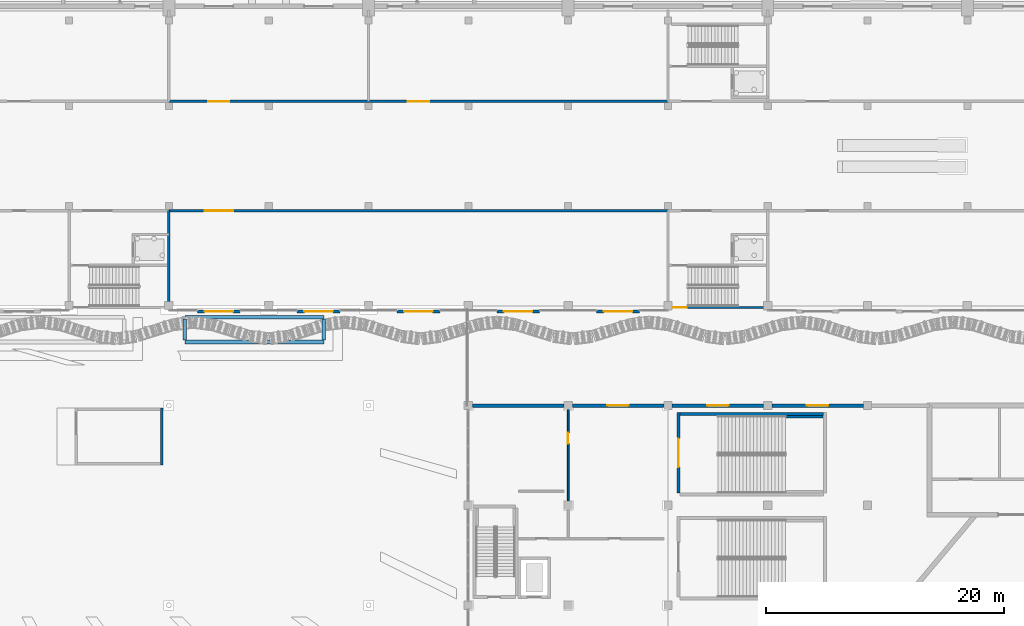
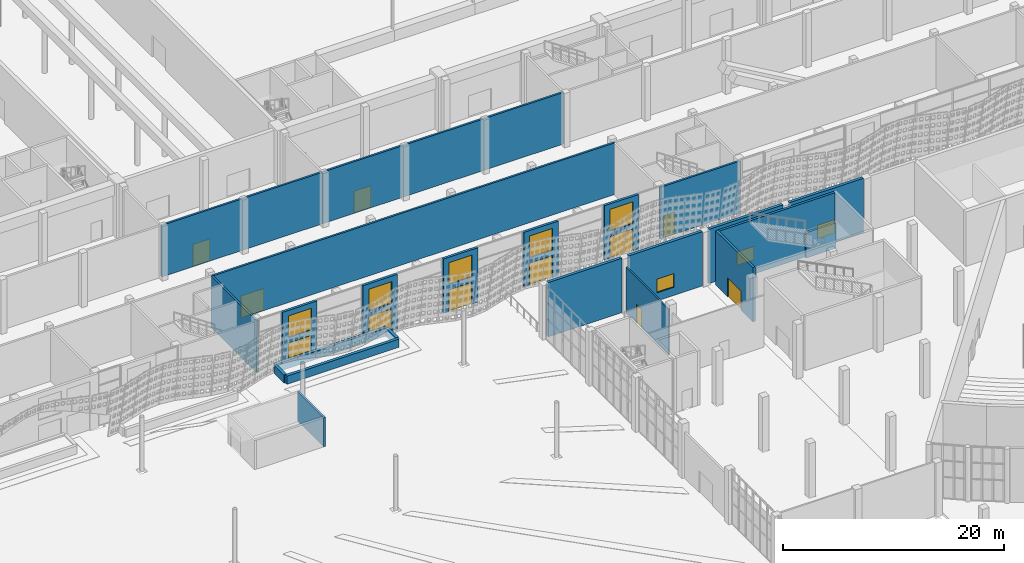
# One storey, part 110 of 210: 23 walls, 11 doors, 8 windows, 19 openings.
"""IFC4 building model written with IfcOpenShell, lengths in metres."""

import ifcopenshell
import ifcopenshell.guid

model = None  # the IFC model being written
_history = None  # IfcOwnerHistory: only IFC2X3 demands one
_inside = {}  # id of a spatial element -> (the spatial element, [elements in it])
_under = {}  # id of a project, library or spatial element -> (it, [spatial elements below it])
_declared = {}  # id of a project -> (the project, [libraries it declares])
_typed = {}  # id of a type object -> (the type object, [elements of that type])
_made_of = {}  # id of a material, layer set ... -> (it, [elements and type objects made of it])


def new_model(schema):
    """Start an empty IFC model of exactly this schema.

    Asked for "IFC4X3", IfcOpenShell would pick the latest addendum, in which some entities
    have other attributes; the version numbers below select the first issue.
    IFC2X3 requires an IfcOwnerHistory on every rooted entity: one is made here for all.
    """
    global model, _history
    if schema == "IFC4X3":
        model = ifcopenshell.file(schema_version=(4, 3, 0, 0))
    else:
        model = ifcopenshell.file(schema=schema)
    _inside.clear()
    _under.clear()
    _declared.clear()
    _typed.clear()
    _made_of.clear()
    _history = None
    if model.schema == "IFC2X3":
        org = make("IfcOrganization", Name="unknown")
        user = make(
            "IfcPersonAndOrganization",
            ThePerson=make("IfcPerson", FamilyName="unknown"),
            TheOrganization=org,
        )
        app = make(
            "IfcApplication",
            ApplicationDeveloper=org,
            Version="unknown",
            ApplicationFullName="unknown",
            ApplicationIdentifier="unknown",
        )
        _history = make(
            "IfcOwnerHistory",
            OwningUser=user,
            OwningApplication=app,
            ChangeAction="ADDED",
            CreationDate=0,
        )
    return model


def make(cls, **values):
    """One entity of the class cls with the attributes given. An attribute that is None is left unset."""
    return model.create_entity(
        cls, **{name: value for name, value in values.items() if value is not None}
    )


def rooted(cls, **values):
    """An entity with a GlobalId (a new one), such as an element, a storey or a relation."""
    return make(cls, GlobalId=ifcopenshell.guid.new(), OwnerHistory=_history, **values)


def si_unit(unit_type, name, prefix=None):
    """IfcSIUnit, for example si_unit("LENGTHUNIT", "METRE", prefix="MILLI")."""
    return make("IfcSIUnit", UnitType=unit_type, Prefix=prefix, Name=name)


def assignment(units):
    """IfcUnitAssignment: the units of a project."""
    return None if units is None else make("IfcUnitAssignment", Units=units)


def point(xyz):
    """IfcCartesianPoint."""
    return None if xyz is None else make("IfcCartesianPoint", Coordinates=xyz)


def direction(xyz):
    """IfcDirection."""
    return None if xyz is None else make("IfcDirection", DirectionRatios=xyz)


def frame(location, z_axis=None, x_axis=None):
    """IfcAxis2Placement3D, a coordinate frame: its origin and axes. An axis left out is left unset."""
    return make(
        "IfcAxis2Placement3D",
        Location=point(location),
        Axis=direction(z_axis),
        RefDirection=direction(x_axis),
    )


def frame_2d(location, x_axis=None):
    """IfcAxis2Placement2D, a coordinate frame in the plane: its origin and x axis."""
    return make(
        "IfcAxis2Placement2D", Location=point(location), RefDirection=direction(x_axis)
    )


def origin():
    """The frame at (0, 0, 0) with its axes left unset."""
    return frame((0.0, 0.0, 0.0))


def place(relative_to, where):
    """IfcLocalPlacement: puts the frame where relative to a parent placement (None: the world)."""
    return make(
        "IfcLocalPlacement", PlacementRelTo=relative_to, RelativePlacement=where
    )


def context(
    kind, dimensions, precision=None, world=None, true_north=None, identifier=None
):
    """IfcGeometricRepresentationContext, for example the 3D "Model" context."""
    return make(
        "IfcGeometricRepresentationContext",
        ContextIdentifier=identifier,
        ContextType=kind,
        CoordinateSpaceDimension=dimensions,
        Precision=precision,
        WorldCoordinateSystem=world,
        TrueNorth=true_north,
    )


def subcontext(parent, identifier, kind, view, scale=None):
    """IfcGeometricRepresentationSubContext, for example "Body" below "Model"."""
    return make(
        "IfcGeometricRepresentationSubContext",
        ContextIdentifier=identifier,
        ContextType=kind,
        ParentContext=parent,
        TargetScale=scale,
        TargetView=view,
    )


def project(units=None, contexts=None):
    """IfcProject with its units and contexts."""
    return rooted(
        "IfcProject",
        Name="project",
        RepresentationContexts=contexts,
        UnitsInContext=assignment(units),
    )


def spatial(cls, under=None, at=None, **own):
    """A site, building, storey or space (cls), placed at a placement, below another one or the project."""
    s = rooted(cls, ObjectPlacement=at, **own)
    if under is not None:
        _under.setdefault(under.id(), (under, []))[1].append(s)
    return s


def profile(cls, at=None, kind="AREA", **sizes):
    """A parametric profile (cls). Its sizes go by their IFC names, for example OverallWidth=200.0."""
    return make(cls, ProfileType=kind, Position=at, **sizes)


def rectangle(**sizes):
    """IfcRectangleProfileDef."""
    return profile("IfcRectangleProfileDef", **sizes)


def extrude(swept, where, along, depth):
    """IfcExtrudedAreaSolid: the profile swept, set in the frame where, extruded along a direction by depth."""
    return make(
        "IfcExtrudedAreaSolid",
        SweptArea=swept,
        Position=where,
        ExtrudedDirection=direction(along),
        Depth=depth,
    )


def shape(context_of_items, identifier, shape_type, items):
    """IfcShapeRepresentation: the items that make up one representation, for example the "Body"."""
    return make(
        "IfcShapeRepresentation",
        ContextOfItems=context_of_items,
        RepresentationIdentifier=identifier,
        RepresentationType=shape_type,
        Items=items,
    )


def material(Name=None, Category=None):
    """IfcMaterial."""
    return make("IfcMaterial", Name=Name, Category=Category)


def layer(
    of_material, thickness, ventilated=None, Name=None, Category=None, Priority=None
):
    """IfcMaterialLayer: one layer of a wall or slab, of a material (None: an air gap)."""
    return make(
        "IfcMaterialLayer",
        Material=of_material,
        LayerThickness=thickness,
        IsVentilated=ventilated,
        Name=Name,
        Category=Category,
        Priority=Priority,
    )


def layer_set(layers, Name=None):
    """IfcMaterialLayerSet."""
    return make("IfcMaterialLayerSet", MaterialLayers=layers, LayerSetName=Name)


def made_of(thing, what):
    """Note that an element or type object is made of a material, layer set ...; save() writes the relation."""
    if what is not None:
        _made_of.setdefault(what.id(), (what, []))[1].append(thing)
    return thing


def type_object(cls, material=None, **own):
    """A type object (cls), such as IfcWallType, which elements share."""
    return made_of(rooted(cls, **own), material)


def element(
    cls,
    number,
    at=None,
    inside=None,
    cuts=None,
    type_object=None,
    material=None,
    context=None,
    identifier="Body",
    shape_type=None,
    held_by="IfcProductDefinitionShape",
    body=None,
    shapes=None,
    **own,
):
    """One element of the class cls, such as IfcWall. Its Tag is "e" and its number.

    at: its placement. inside: the storey or other place that contains it. cuts: it is an
    opening in that element (IfcRelVoidsElement). A single representation is given by context,
    identifier, shape_type and body (its items); several are given by shapes. held_by: the class
    of the entity that holds the representations. save() writes the other relations.
    """
    e = rooted(cls, Tag="e%d" % number, ObjectPlacement=at, **own)
    if body is not None:
        shapes = [shape(context, identifier, shape_type, body)]
    if shapes is not None:
        e.Representation = make(held_by, Representations=shapes)
    if inside is not None:
        _inside.setdefault(inside.id(), (inside, []))[1].append(e)
    if cuts is not None:
        rooted(
            "IfcRelVoidsElement", RelatingBuildingElement=cuts, RelatedOpeningElement=e
        )
    if type_object is not None:
        _typed.setdefault(type_object.id(), (type_object, []))[1].append(e)
    return made_of(e, material)


def fill(opening, filler):
    """IfcRelFillsElement: the door or window that sits in an opening."""
    return rooted(
        "IfcRelFillsElement",
        RelatingOpeningElement=opening,
        RelatedBuildingElement=filler,
    )


def aggregate(whole, parts):
    """IfcRelAggregates: a whole, such as a stair, and the parts it consists of."""
    return rooted("IfcRelAggregates", RelatingObject=whole, RelatedObjects=parts)


def save(model, path):
    """Write the relations noted so far, then the file.

    IfcRelAggregates (storeys below a building ...), IfcRelContainedInSpatialStructure (elements
    in a storey), IfcRelDefinesByType, IfcRelAssociatesMaterial and IfcRelDeclares: one each for
    every whole, place, type object, material and project.
    """
    for whole, parts in _under.values():
        aggregate(whole, parts)
    for where, things in _inside.values():
        rooted(
            "IfcRelContainedInSpatialStructure",
            RelatedElements=things,
            RelatingStructure=where,
        )
    for kind, things in _typed.values():
        rooted("IfcRelDefinesByType", RelatedObjects=things, RelatingType=kind)
    for what, things in _made_of.values():
        rooted("IfcRelAssociatesMaterial", RelatedObjects=things, RelatingMaterial=what)
    for by, libraries in _declared.values():
        rooted("IfcRelDeclares", RelatingContext=by, RelatedDefinitions=libraries)
    model.write(path)


model = new_model("IFC4")

# Units and contexts
model_context = context("Model", 3, precision=1e-05, world=origin(), true_north=direction((0.0, 1.0)))
body_context = subcontext(model_context, "Body", "Model", "MODEL_VIEW")
ifc_project = project(units=[si_unit("LENGTHUNIT", "METRE"), si_unit("AREAUNIT", "SQUARE_METRE"), si_unit("VOLUMEUNIT", "CUBIC_METRE"), si_unit("PLANEANGLEUNIT", "RADIAN"), si_unit("MASSUNIT", "GRAM", prefix="KILO")], contexts=[model_context])

# Site, building, storey
site_placement = place(None, origin())
site = spatial("IfcSite", under=ifc_project, at=site_placement, CompositionType="ELEMENT")
building_placement = place(site_placement, origin())
building = spatial("IfcBuilding", under=site, at=building_placement, Name="Rain Tree Exposition and Congress Centre", CompositionType="ELEMENT")
storey_placement = place(building_placement, origin())
storey = spatial("IfcBuildingStorey", under=building, at=storey_placement, Name="L00", CompositionType="ELEMENT", Elevation=0.0)

# Wall, opening, door
ifc_material_1 = material(Name="Hollow blockwork partition", Category="masonry")
ifc_layer_1 = layer(ifc_material_1, 0.199951171875)
ifc_layer_set_1 = layer_set([ifc_layer_1], Name="Hollow blockwork partition")
wall_type_1 = type_object("IfcWallType", Name="Concourse blockwork partition 200", PredefinedType="PARTITIONING", material=ifc_layer_set_1)
wall_1_placement = place(storey_placement, frame((126.0, 83.60009765625, 0.0), z_axis=(0.0, 0.0, 1.0), x_axis=(1.0, 0.0, 0.0)))
wall_1 = element("IfcWall", 1, at=wall_1_placement, inside=storey, type_object=wall_type_1, Name="Concourse room front L00", PredefinedType="PARTITIONING", context=body_context, shape_type="SweptSolid", body=[
    extrude(rectangle(XDim=42.0, YDim=0.199951171875, at=frame_2d((21.0, 0.0))), origin(), (0.0, 0.0, 1.0), 5.699951171875),
])
opening_1_placement = place(wall_1_placement, frame((3.0, 0.0, 0.0)))
opening_1 = element("IfcOpeningElement", 2, at=opening_1_placement, cuts=wall_1, Name="Opening DC026", PredefinedType="OPENING", context=body_context, shape_type="SweptSolid", body=[
    extrude(rectangle(XDim=2.39990234375, YDim=2.39990234375, at=frame_2d((1.199951171875, 1.199951171875))), frame((0.0, 0.10009765625, 0.0), z_axis=(0.0, -1.0, 0.0), x_axis=(1.0, 0.0, 0.0)), (0.0, 0.0, 1.0), 0.199951171875),
])
ifc_material_2 = material(Name="Aluminium framed glazed door", Category="aluminium")
door_type_1 = type_object("IfcDoorType", Name="Concourse double door 2400x2400", OperationType="DOUBLE_DOOR_DOUBLE_SWING", PredefinedType="DOOR", material=ifc_material_2)
door_1_placement = place(opening_1_placement, origin())
door_1 = element("IfcDoor", 3, at=door_1_placement, inside=storey, type_object=door_type_1, Name="Room door DC026", OperationType="DOUBLE_DOOR_DOUBLE_SWING", OverallHeight=2.39990234375, OverallWidth=2.39990234375, PredefinedType="DOOR", context=body_context, shape_type="SweptSolid", body=[
    extrude(rectangle(XDim=2.39990234375, YDim=2.39990234375, at=frame_2d((1.199951171875, 1.199951171875))), frame((0.0, 0.02490234375, 0.0), z_axis=(0.0, -1.0, 0.0), x_axis=(1.0, 0.0, 0.0)), (0.0, 0.0, 1.0), 0.050048828125),
])
fill(opening_1, door_1)

wall_2_placement = place(storey_placement, frame((126.0, 92.800048828125, 0.0), z_axis=(0.0, 0.0, 1.0), x_axis=(1.0, 0.0, 0.0)))
wall_2 = element("IfcWall", 4, at=wall_2_placement, inside=storey, type_object=wall_type_1, Name="Concourse room front L00", PredefinedType="PARTITIONING", context=body_context, shape_type="SweptSolid", body=[
    extrude(rectangle(XDim=16.800048828125, YDim=0.199951171875, at=frame_2d((8.39990234375, 0.0))), origin(), (0.0, 0.0, 1.0), 5.699951171875),
])
opening_2_placement = place(wall_2_placement, frame((3.300048828125, 0.0, 0.0)))
opening_2 = element("IfcOpeningElement", 5, at=opening_2_placement, cuts=wall_2, Name="Opening DC063", PredefinedType="OPENING", context=body_context, shape_type="SweptSolid", body=[
    extrude(rectangle(XDim=1.800048828125, YDim=2.39990234375, at=frame_2d((0.89990234375, 1.199951171875))), frame((0.0, 0.10009765625, 0.0), z_axis=(0.0, -1.0, 0.0), x_axis=(1.0, 0.0, 0.0)), (0.0, 0.0, 1.0), 0.199951171875),
])
ifc_material_3 = material(Name="Aluminium framed glazed door", Category="aluminium")
door_type_2 = type_object("IfcDoorType", Name="Concourse double door 1800x2400", OperationType="DOUBLE_DOOR_DOUBLE_SWING", PredefinedType="DOOR", material=ifc_material_3)
door_2_placement = place(opening_2_placement, origin())
door_2 = element("IfcDoor", 6, at=door_2_placement, inside=storey, type_object=door_type_2, Name="Room door DC063", OperationType="DOUBLE_DOOR_DOUBLE_SWING", OverallHeight=2.39990234375, OverallWidth=1.800048828125, PredefinedType="DOOR", context=body_context, shape_type="SweptSolid", body=[
    extrude(rectangle(XDim=1.800048828125, YDim=2.39990234375, at=frame_2d((0.89990234375, 1.199951171875))), frame((0.0, 0.02490234375, 0.0), z_axis=(0.0, -1.0, 0.0), x_axis=(1.0, 0.0, 0.0)), (0.0, 0.0, 1.0), 0.050048828125),
])
fill(opening_2, door_2)

wall_3_placement = place(storey_placement, frame((142.800048828125, 92.800048828125, 0.0), z_axis=(0.0, 0.0, 1.0), x_axis=(1.0, 0.0, 0.0)))
wall_3 = element("IfcWall", 7, at=wall_3_placement, inside=storey, type_object=wall_type_1, Name="Concourse room front L00", PredefinedType="PARTITIONING", context=body_context, shape_type="SweptSolid", body=[
    extrude(rectangle(XDim=25.199951171875, YDim=0.199951171875, at=frame_2d((12.60009765625, 0.0))), origin(), (0.0, 0.0, 1.0), 5.699951171875),
])
opening_3_placement = place(wall_3_placement, frame((3.300048828125, 0.0, 0.0)))
opening_3 = element("IfcOpeningElement", 8, at=opening_3_placement, cuts=wall_3, Name="Opening DC064", PredefinedType="OPENING", context=body_context, shape_type="SweptSolid", body=[
    extrude(rectangle(XDim=1.800048828125, YDim=2.39990234375, at=frame_2d((0.89990234375, 1.199951171875))), frame((0.0, 0.10009765625, 0.0), z_axis=(0.0, -1.0, 0.0), x_axis=(1.0, 0.0, 0.0)), (0.0, 0.0, 1.0), 0.199951171875),
])
door_3_placement = place(opening_3_placement, origin())
door_3 = element("IfcDoor", 9, at=door_3_placement, inside=storey, type_object=door_type_2, Name="Room door DC064", OperationType="DOUBLE_DOOR_DOUBLE_SWING", OverallHeight=2.39990234375, OverallWidth=1.800048828125, PredefinedType="DOOR", context=body_context, shape_type="SweptSolid", body=[
    extrude(rectangle(XDim=1.800048828125, YDim=2.39990234375, at=frame_2d((0.89990234375, 1.199951171875))), frame((0.0, 0.02490234375, 0.0), z_axis=(0.0, -1.0, 0.0), x_axis=(1.0, 0.0, 0.0)), (0.0, 0.0, 1.0), 0.050048828125),
])
fill(opening_3, door_3)

# Wall, openings, door, window
ifc_material_4 = material(Name="Concrete C40/50", Category="concrete")
ifc_layer_2 = layer(ifc_material_4, 0.25)
ifc_layer_set_2 = layer_set([ifc_layer_2], Name="Concrete C40/50")
wall_type_2 = type_object("IfcWallType", Name="Concourse entrance infill wall 250", PredefinedType="SOLIDWALL", material=ifc_layer_set_2)
wall_4_placement = place(storey_placement, frame((128.39990234375, 75.125, 0.0), z_axis=(0.0, 0.0, 1.0), x_axis=(1.0, 0.0, 0.0)))
wall_4 = element("IfcWall", 10, at=wall_4_placement, inside=storey, type_object=wall_type_2, Name="Concourse entrance infill wall", PredefinedType="SOLIDWALL", context=body_context, shape_type="SweptSolid", body=[
    extrude(rectangle(XDim=3.60009765625, YDim=0.25, at=frame_2d((1.800048828125, 0.0))), origin(), (0.0, 0.0, 1.0), 6.0),
])
opening_4_placement = place(wall_4_placement, frame((0.60009765625, 0.0, 0.0)))
opening_4 = element("IfcOpeningElement", 11, at=opening_4_placement, cuts=wall_4, Name="Opening DC006", PredefinedType="OPENING", context=body_context, shape_type="SweptSolid", body=[
    extrude(rectangle(XDim=2.39990234375, YDim=2.39990234375, at=frame_2d((1.199951171875, 1.199951171875))), frame((0.0, 0.125, 0.0), z_axis=(0.0, -1.0, 0.0), x_axis=(1.0, 0.0, 0.0)), (0.0, 0.0, 1.0), 0.25),
])
opening_5_placement = place(wall_4_placement, frame((0.60009765625, 0.0, 3.0)))
opening_5 = element("IfcOpeningElement", 12, at=opening_5_placement, cuts=wall_4, Name="Opening WC283", PredefinedType="OPENING", context=body_context, shape_type="SweptSolid", body=[
    extrude(rectangle(XDim=2.39990234375, YDim=2.39990234375, at=frame_2d((1.199951171875, 1.199951171875))), frame((0.0, 0.125, 0.0), z_axis=(0.0, -1.0, 0.0), x_axis=(1.0, 0.0, 0.0)), (0.0, 0.0, 1.0), 0.25),
])
door_4_placement = place(opening_4_placement, origin())
door_4 = element("IfcDoor", 13, at=door_4_placement, inside=storey, type_object=door_type_1, Name="Room entrance door DC006", OperationType="DOUBLE_DOOR_DOUBLE_SWING", OverallHeight=2.39990234375, OverallWidth=2.39990234375, PredefinedType="DOOR", context=body_context, shape_type="SweptSolid", body=[
    extrude(rectangle(XDim=2.39990234375, YDim=2.39990234375, at=frame_2d((1.199951171875, 1.199951171875))), frame((0.0, 0.02490234375, 0.0), z_axis=(0.0, -1.0, 0.0), x_axis=(1.0, 0.0, 0.0)), (0.0, 0.0, 1.0), 0.050048828125),
])
fill(opening_4, door_4)
ifc_material_5 = material(Name="Aluminium framed glazing", Category="aluminium")
window_type_1 = type_object("IfcWindowType", Name="Concourse fixed window 2400x2400", PartitioningType="SINGLE_PANEL", PredefinedType="WINDOW", material=ifc_material_5)
window_1_placement = place(opening_5_placement, origin())
window_1 = element("IfcWindow", 14, at=window_1_placement, inside=storey, type_object=window_type_1, Name="Entrance transom window", OverallHeight=2.39990234375, OverallWidth=2.39990234375, PartitioningType="SINGLE_PANEL", PredefinedType="WINDOW", context=body_context, shape_type="SweptSolid", body=[
    extrude(rectangle(XDim=2.39990234375, YDim=2.39990234375, at=frame_2d((1.199951171875, 1.199951171875))), frame((0.0, 0.030029296875, 0.0), z_axis=(0.0, -1.0, 0.0), x_axis=(1.0, 0.0, 0.0)), (0.0, 0.0, 1.0), 0.06005859375),
])
fill(opening_5, window_1)

wall_5_placement = place(storey_placement, frame((136.800048828125, 75.125, 0.0), z_axis=(0.0, 0.0, 1.0), x_axis=(1.0, 0.0, 0.0)))
wall_5 = element("IfcWall", 15, at=wall_5_placement, inside=storey, type_object=wall_type_2, Name="Concourse entrance infill wall", PredefinedType="SOLIDWALL", context=body_context, shape_type="SweptSolid", body=[
    extrude(rectangle(XDim=3.599853515625, YDim=0.25, at=frame_2d((1.7998046875, 0.0))), origin(), (0.0, 0.0, 1.0), 6.0),
])
opening_6_placement = place(wall_5_placement, frame((0.60009765625, 0.0, 0.0)))
opening_6 = element("IfcOpeningElement", 16, at=opening_6_placement, cuts=wall_5, Name="Opening DC007", PredefinedType="OPENING", context=body_context, shape_type="SweptSolid", body=[
    extrude(rectangle(XDim=2.39990234375, YDim=2.39990234375, at=frame_2d((1.199951171875, 1.199951171875))), frame((0.0, 0.125, 0.0), z_axis=(0.0, -1.0, 0.0), x_axis=(1.0, 0.0, 0.0)), (0.0, 0.0, 1.0), 0.25),
])
opening_7_placement = place(wall_5_placement, frame((0.60009765625, 0.0, 3.0)))
opening_7 = element("IfcOpeningElement", 17, at=opening_7_placement, cuts=wall_5, Name="Opening WC367", PredefinedType="OPENING", context=body_context, shape_type="SweptSolid", body=[
    extrude(rectangle(XDim=2.39990234375, YDim=2.39990234375, at=frame_2d((1.199951171875, 1.199951171875))), frame((0.0, 0.125, 0.0), z_axis=(0.0, -1.0, 0.0), x_axis=(1.0, 0.0, 0.0)), (0.0, 0.0, 1.0), 0.25),
])
door_5_placement = place(opening_6_placement, origin())
door_5 = element("IfcDoor", 18, at=door_5_placement, inside=storey, type_object=door_type_1, Name="Room entrance door DC007", OperationType="DOUBLE_DOOR_DOUBLE_SWING", OverallHeight=2.39990234375, OverallWidth=2.39990234375, PredefinedType="DOOR", context=body_context, shape_type="SweptSolid", body=[
    extrude(rectangle(XDim=2.39990234375, YDim=2.39990234375, at=frame_2d((1.199951171875, 1.199951171875))), frame((0.0, 0.02490234375, 0.0), z_axis=(0.0, -1.0, 0.0), x_axis=(1.0, 0.0, 0.0)), (0.0, 0.0, 1.0), 0.050048828125),
])
fill(opening_6, door_5)
window_2_placement = place(opening_7_placement, origin())
window_2 = element("IfcWindow", 19, at=window_2_placement, inside=storey, type_object=window_type_1, Name="Entrance transom window", OverallHeight=2.39990234375, OverallWidth=2.39990234375, PartitioningType="SINGLE_PANEL", PredefinedType="WINDOW", context=body_context, shape_type="SweptSolid", body=[
    extrude(rectangle(XDim=2.39990234375, YDim=2.39990234375, at=frame_2d((1.199951171875, 1.199951171875))), frame((0.0, 0.030029296875, 0.0), z_axis=(0.0, -1.0, 0.0), x_axis=(1.0, 0.0, 0.0)), (0.0, 0.0, 1.0), 0.06005859375),
])
fill(opening_7, window_2)

wall_6_placement = place(storey_placement, frame((145.199951171875, 75.125, 0.0), z_axis=(0.0, 0.0, 1.0), x_axis=(1.0, 0.0, 0.0)))
wall_6 = element("IfcWall", 20, at=wall_6_placement, inside=storey, type_object=wall_type_2, Name="Concourse entrance infill wall", PredefinedType="SOLIDWALL", context=body_context, shape_type="SweptSolid", body=[
    extrude(rectangle(XDim=3.60009765625, YDim=0.25, at=frame_2d((1.800048828125, 0.0))), origin(), (0.0, 0.0, 1.0), 6.0),
])
opening_8_placement = place(wall_6_placement, frame((0.60009765625, 0.0, 0.0)))
opening_8 = element("IfcOpeningElement", 21, at=opening_8_placement, cuts=wall_6, Name="Opening DC008", PredefinedType="OPENING", context=body_context, shape_type="SweptSolid", body=[
    extrude(rectangle(XDim=2.39990234375, YDim=2.39990234375, at=frame_2d((1.199951171875, 1.199951171875))), frame((0.0, 0.125, 0.0), z_axis=(0.0, -1.0, 0.0), x_axis=(1.0, 0.0, 0.0)), (0.0, 0.0, 1.0), 0.25),
])
opening_9_placement = place(wall_6_placement, frame((0.60009765625, 0.0, 3.0)))
opening_9 = element("IfcOpeningElement", 22, at=opening_9_placement, cuts=wall_6, Name="Opening WC452", PredefinedType="OPENING", context=body_context, shape_type="SweptSolid", body=[
    extrude(rectangle(XDim=2.39990234375, YDim=2.39990234375, at=frame_2d((1.199951171875, 1.199951171875))), frame((0.0, 0.125, 0.0), z_axis=(0.0, -1.0, 0.0), x_axis=(1.0, 0.0, 0.0)), (0.0, 0.0, 1.0), 0.25),
])
door_6_placement = place(opening_8_placement, origin())
door_6 = element("IfcDoor", 23, at=door_6_placement, inside=storey, type_object=door_type_1, Name="Room entrance door DC008", OperationType="DOUBLE_DOOR_DOUBLE_SWING", OverallHeight=2.39990234375, OverallWidth=2.39990234375, PredefinedType="DOOR", context=body_context, shape_type="SweptSolid", body=[
    extrude(rectangle(XDim=2.39990234375, YDim=2.39990234375, at=frame_2d((1.199951171875, 1.199951171875))), frame((0.0, 0.02490234375, 0.0), z_axis=(0.0, -1.0, 0.0), x_axis=(1.0, 0.0, 0.0)), (0.0, 0.0, 1.0), 0.050048828125),
])
fill(opening_8, door_6)
window_3_placement = place(opening_9_placement, origin())
window_3 = element("IfcWindow", 24, at=window_3_placement, inside=storey, type_object=window_type_1, Name="Entrance transom window", OverallHeight=2.39990234375, OverallWidth=2.39990234375, PartitioningType="SINGLE_PANEL", PredefinedType="WINDOW", context=body_context, shape_type="SweptSolid", body=[
    extrude(rectangle(XDim=2.39990234375, YDim=2.39990234375, at=frame_2d((1.199951171875, 1.199951171875))), frame((0.0, 0.030029296875, 0.0), z_axis=(0.0, -1.0, 0.0), x_axis=(1.0, 0.0, 0.0)), (0.0, 0.0, 1.0), 0.06005859375),
])
fill(opening_9, window_3)

wall_7_placement = place(storey_placement, frame((153.60009765625, 75.125, 0.0), z_axis=(0.0, 0.0, 1.0), x_axis=(1.0, 0.0, 0.0)))
wall_7 = element("IfcWall", 25, at=wall_7_placement, inside=storey, type_object=wall_type_2, Name="Concourse entrance infill wall", PredefinedType="SOLIDWALL", context=body_context, shape_type="SweptSolid", body=[
    extrude(rectangle(XDim=3.599853515625, YDim=0.25, at=frame_2d((1.7998046875, 0.0))), origin(), (0.0, 0.0, 1.0), 6.0),
])
opening_10_placement = place(wall_7_placement, frame((0.60009765625, 0.0, 0.0)))
opening_10 = element("IfcOpeningElement", 26, at=opening_10_placement, cuts=wall_7, Name="Opening DC009", PredefinedType="OPENING", context=body_context, shape_type="SweptSolid", body=[
    extrude(rectangle(XDim=2.39990234375, YDim=2.39990234375, at=frame_2d((1.199951171875, 1.199951171875))), frame((0.0, 0.125, 0.0), z_axis=(0.0, -1.0, 0.0), x_axis=(1.0, 0.0, 0.0)), (0.0, 0.0, 1.0), 0.25),
])
opening_11_placement = place(wall_7_placement, frame((0.60009765625, 0.0, 3.0)))
opening_11 = element("IfcOpeningElement", 27, at=opening_11_placement, cuts=wall_7, Name="Opening WC536", PredefinedType="OPENING", context=body_context, shape_type="SweptSolid", body=[
    extrude(rectangle(XDim=2.39990234375, YDim=2.39990234375, at=frame_2d((1.199951171875, 1.199951171875))), frame((0.0, 0.125, 0.0), z_axis=(0.0, -1.0, 0.0), x_axis=(1.0, 0.0, 0.0)), (0.0, 0.0, 1.0), 0.25),
])
door_7_placement = place(opening_10_placement, origin())
door_7 = element("IfcDoor", 28, at=door_7_placement, inside=storey, type_object=door_type_1, Name="Room entrance door DC009", OperationType="DOUBLE_DOOR_DOUBLE_SWING", OverallHeight=2.39990234375, OverallWidth=2.39990234375, PredefinedType="DOOR", context=body_context, shape_type="SweptSolid", body=[
    extrude(rectangle(XDim=2.39990234375, YDim=2.39990234375, at=frame_2d((1.199951171875, 1.199951171875))), frame((0.0, 0.02490234375, 0.0), z_axis=(0.0, -1.0, 0.0), x_axis=(1.0, 0.0, 0.0)), (0.0, 0.0, 1.0), 0.050048828125),
])
fill(opening_10, door_7)
window_4_placement = place(opening_11_placement, origin())
window_4 = element("IfcWindow", 29, at=window_4_placement, inside=storey, type_object=window_type_1, Name="Entrance transom window", OverallHeight=2.39990234375, OverallWidth=2.39990234375, PartitioningType="SINGLE_PANEL", PredefinedType="WINDOW", context=body_context, shape_type="SweptSolid", body=[
    extrude(rectangle(XDim=2.39990234375, YDim=2.39990234375, at=frame_2d((1.199951171875, 1.199951171875))), frame((0.0, 0.030029296875, 0.0), z_axis=(0.0, -1.0, 0.0), x_axis=(1.0, 0.0, 0.0)), (0.0, 0.0, 1.0), 0.06005859375),
])
fill(opening_11, window_4)

wall_8_placement = place(storey_placement, frame((162.0, 75.125, 0.0), z_axis=(0.0, 0.0, 1.0), x_axis=(1.0, 0.0, 0.0)))
wall_8 = element("IfcWall", 30, at=wall_8_placement, inside=storey, type_object=wall_type_2, Name="Concourse entrance infill wall", PredefinedType="SOLIDWALL", context=body_context, shape_type="SweptSolid", body=[
    extrude(rectangle(XDim=3.60009765625, YDim=0.25, at=frame_2d((1.800048828125, 0.0))), origin(), (0.0, 0.0, 1.0), 6.0),
])
opening_12_placement = place(wall_8_placement, frame((0.60009765625, 0.0, 0.0)))
opening_12 = element("IfcOpeningElement", 31, at=opening_12_placement, cuts=wall_8, Name="Opening DC010", PredefinedType="OPENING", context=body_context, shape_type="SweptSolid", body=[
    extrude(rectangle(XDim=2.39990234375, YDim=2.39990234375, at=frame_2d((1.199951171875, 1.199951171875))), frame((0.0, 0.125, 0.0), z_axis=(0.0, -1.0, 0.0), x_axis=(1.0, 0.0, 0.0)), (0.0, 0.0, 1.0), 0.25),
])
opening_13_placement = place(wall_8_placement, frame((0.60009765625, 0.0, 3.0)))
opening_13 = element("IfcOpeningElement", 32, at=opening_13_placement, cuts=wall_8, Name="Opening WC619", PredefinedType="OPENING", context=body_context, shape_type="SweptSolid", body=[
    extrude(rectangle(XDim=2.39990234375, YDim=2.39990234375, at=frame_2d((1.199951171875, 1.199951171875))), frame((0.0, 0.125, 0.0), z_axis=(0.0, -1.0, 0.0), x_axis=(1.0, 0.0, 0.0)), (0.0, 0.0, 1.0), 0.25),
])
door_8_placement = place(opening_12_placement, origin())
door_8 = element("IfcDoor", 33, at=door_8_placement, inside=storey, type_object=door_type_1, Name="Room entrance door DC010", OperationType="DOUBLE_DOOR_DOUBLE_SWING", OverallHeight=2.39990234375, OverallWidth=2.39990234375, PredefinedType="DOOR", context=body_context, shape_type="SweptSolid", body=[
    extrude(rectangle(XDim=2.39990234375, YDim=2.39990234375, at=frame_2d((1.199951171875, 1.199951171875))), frame((0.0, 0.02490234375, 0.0), z_axis=(0.0, -1.0, 0.0), x_axis=(1.0, 0.0, 0.0)), (0.0, 0.0, 1.0), 0.050048828125),
])
fill(opening_12, door_8)
window_5_placement = place(opening_13_placement, origin())
window_5 = element("IfcWindow", 34, at=window_5_placement, inside=storey, type_object=window_type_1, Name="Entrance transom window", OverallHeight=2.39990234375, OverallWidth=2.39990234375, PartitioningType="SINGLE_PANEL", PredefinedType="WINDOW", context=body_context, shape_type="SweptSolid", body=[
    extrude(rectangle(XDim=2.39990234375, YDim=2.39990234375, at=frame_2d((1.199951171875, 1.199951171875))), frame((0.0, 0.030029296875, 0.0), z_axis=(0.0, -1.0, 0.0), x_axis=(1.0, 0.0, 0.0)), (0.0, 0.0, 1.0), 0.06005859375),
])
fill(opening_13, window_5)

# Wall
ifc_material_6 = material(Name="Concrete C40/50", Category="concrete")
ifc_layer_3 = layer(ifc_material_6, 0.199951171875)
ifc_layer_set_3 = layer_set([ifc_layer_3], Name="Concrete C40/50")
wall_type_3 = type_object("IfcWallType", Name="Concourse shaft and core wall 200", PredefinedType="SOLIDWALL", material=ifc_layer_set_3)
wall_9_placement = place(storey_placement, frame((126.0, 75.39990234375, 0.0), z_axis=(0.0, 0.0, 1.0), x_axis=(0.0, 1.0, 0.0)))
element("IfcWall", 35, at=wall_9_placement, inside=storey, type_object=wall_type_3, Name="Concourse core wall L00", PredefinedType="SOLIDWALL", context=body_context, shape_type="SweptSolid", body=[
    extrude(rectangle(XDim=8.2001953125, YDim=0.199951171875, at=frame_2d((4.10009765625, 0.0))), origin(), (0.0, 0.0, 1.0), 5.699951171875),
])

# Wall, opening, door
wall_10_placement = place(storey_placement, frame((168.0, 75.449951171875, 0.0), z_axis=(0.0, 0.0, 1.0), x_axis=(1.0, 0.0, 0.0)))
wall_10 = element("IfcWall", 36, at=wall_10_placement, inside=storey, type_object=wall_type_3, Name="Concourse stair wall L00", PredefinedType="SOLIDWALL", context=body_context, shape_type="SweptSolid", body=[
    extrude(rectangle(XDim=8.39990234375, YDim=0.199951171875, at=frame_2d((4.199951171875, 0.0))), origin(), (0.0, 0.0, 1.0), 5.699951171875),
])
opening_14_placement = place(wall_10_placement, frame((0.39990234375, 0.0, 0.0)))
opening_14 = element("IfcOpeningElement", 37, at=opening_14_placement, cuts=wall_10, Name="Opening DC107", PredefinedType="OPENING", context=body_context, shape_type="SweptSolid", body=[
    extrude(rectangle(XDim=1.199951171875, YDim=2.39990234375, at=frame_2d((0.60009765625, 1.199951171875))), frame((0.0, 0.10009765625, 0.0), z_axis=(0.0, -1.0, 0.0), x_axis=(1.0, 0.0, 0.0)), (0.0, 0.0, 1.0), 0.199951171875),
])
ifc_material_7 = material(Name="Aluminium framed glazed door", Category="aluminium")
door_type_3 = type_object("IfcDoorType", Name="Concourse single door 1200x2400", OperationType="NOTDEFINED", PredefinedType="DOOR", material=ifc_material_7)
door_9_placement = place(opening_14_placement, frame((1.199951171875, 0.0, 0.0), z_axis=(0.0, 0.0, 1.0), x_axis=(-1.0, 0.0, 0.0)))
door_9 = element("IfcDoor", 38, at=door_9_placement, inside=storey, type_object=door_type_3, Name="Stair exit door DC107", OperationType="SINGLE_SWING_RIGHT", OverallHeight=2.39990234375, OverallWidth=1.199951171875, PredefinedType="DOOR", context=body_context, shape_type="SweptSolid", body=[
    extrude(rectangle(XDim=1.199951171875, YDim=2.39990234375, at=frame_2d((0.60009765625, 1.199951171875))), frame((0.0, 0.02490234375, 0.0), z_axis=(0.0, -1.0, 0.0), x_axis=(1.0, 0.0, 0.0)), (0.0, 0.0, 1.0), 0.050048828125),
])
fill(opening_14, door_9)

# Wall
ifc_material_8 = material(Name="Concrete C40/50", Category="concrete")
ifc_layer_4 = layer(ifc_material_8, 0.25)
ifc_layer_set_4 = layer_set([ifc_layer_4], Name="Concrete C40/50")
wall_type_4 = type_object("IfcWallType", Name="Core wall 250", PredefinedType="SHEAR", material=ifc_layer_set_4)
wall_11_placement = place(storey_placement, frame((181.050048828125, 66.25, 0.0), z_axis=(0.0, 0.0, 1.0), x_axis=(-1.0, 0.0, 0.0)))
element("IfcWall", 39, at=wall_11_placement, inside=storey, type_object=wall_type_4, Name="ST-G4 landing support wall 2", PredefinedType="SHEAR", context=body_context, shape_type="SweptSolid", body=[
    extrude(rectangle(XDim=3.10009765625, YDim=0.199951171875, at=frame_2d((1.550048828125, 0.0))), origin(), (0.0, 0.0, 1.0), 2.800048828125),
])

# Wall, opening, door
wall_12_placement = place(storey_placement, frame((168.875, 59.85009765625, 0.0), z_axis=(0.0, 0.0, 1.0), x_axis=(0.0, 1.0, 0.0)))
wall_12 = element("IfcWall", 40, at=wall_12_placement, inside=storey, type_object=wall_type_4, Name="Stair ST-G4 near wall", PredefinedType="SHEAR", context=body_context, shape_type="SweptSolid", body=[
    extrude(rectangle(XDim=6.75, YDim=0.25, at=frame_2d((3.375, 0.0))), origin(), (0.0, 0.0, 1.0), 6.0),
])
opening_15_placement = place(wall_12_placement, frame((2.175048828125, 0.0, 0.0)))
opening_15 = element("IfcOpeningElement", 41, at=opening_15_placement, cuts=wall_12, Name="Opening DG138", PredefinedType="OPENING", context=body_context, shape_type="SweptSolid", body=[
    extrude(rectangle(XDim=2.39990234375, YDim=2.10009765625, at=frame_2d((1.199951171875, 1.050048828125))), frame((0.0, 0.125, 0.0), z_axis=(0.0, -1.0, 0.0), x_axis=(1.0, 0.0, 0.0)), (0.0, 0.0, 1.0), 0.25),
])
ifc_material_9 = material(Name="Steel", Category="steel")
door_type_4 = type_object("IfcDoorType", Name="Fire door double 2400x2100 congress", OperationType="DOUBLE_DOOR_SINGLE_SWING", PredefinedType="DOOR", material=ifc_material_9)
door_10_placement = place(opening_15_placement, origin())
door_10 = element("IfcDoor", 42, at=door_10_placement, inside=storey, type_object=door_type_4, Name="DG138", OperationType="DOUBLE_DOOR_SINGLE_SWING", OverallHeight=2.10009765625, OverallWidth=2.39990234375, PredefinedType="DOOR", context=body_context, shape_type="SweptSolid", body=[
    extrude(rectangle(XDim=2.39990234375, YDim=2.10009765625, at=frame_2d((1.199951171875, 1.050048828125))), frame((0.0, 0.02490234375, 0.0), z_axis=(0.0, -1.0, 0.0), x_axis=(1.0, 0.0, 0.0)), (0.0, 0.0, 1.0), 0.050048828125),
])
fill(opening_15, door_10)

# Walls
wall_13_placement = place(storey_placement, frame((169.0, 66.47509765625, 0.0), z_axis=(0.0, 0.0, 1.0), x_axis=(1.0, 0.0, 0.0)))
element("IfcWall", 43, at=wall_13_placement, inside=storey, type_object=wall_type_4, Name="Stair ST-G4 outer wall", PredefinedType="SHEAR", context=body_context, shape_type="SweptSolid", body=[
    extrude(rectangle(XDim=12.10009765625, YDim=0.25, at=frame_2d((6.050048828125, 0.0))), origin(), (0.0, 0.0, 1.0), 6.0),
])
ifc_material_10 = material(Name="Concrete C40/50", Category="concrete")
ifc_layer_5 = layer(ifc_material_10, 0.199951171875)
ifc_layer_set_5 = layer_set([ifc_layer_5], Name="Concrete C40/50")
wall_type_5 = type_object("IfcWallType", Name="Exit stair wall 200", PredefinedType="PARTITIONING", material=ifc_layer_set_5)
wall_14_placement = place(storey_placement, frame((125.39990234375, 62.199951171875, 0.0), z_axis=(0.0, 0.0, 1.0), x_axis=(0.0, 1.0, 0.0)))
element("IfcWall", 44, at=wall_14_placement, inside=storey, type_object=wall_type_5, Name="Exit stair E4 wall east", PredefinedType="SOLIDWALL", context=body_context, shape_type="SweptSolid", body=[
    extrude(rectangle(XDim=4.800048828125, YDim=0.199951171875, at=frame_2d((2.39990234375, 0.0))), origin(), (0.0, 0.0, 1.0), 3.199951171875),
])
ifc_material_11 = material(Name="Concrete C40/50", Category="concrete")
ifc_layer_6 = layer(ifc_material_11, 0.300048828125)
ifc_layer_set_6 = layer_set([ifc_layer_6], Name="Concrete C40/50")
wall_type_6 = type_object("IfcWallType", Name="Foyer screen wall 300", PredefinedType="STANDARD", material=ifc_layer_set_6)
wall_15_placement = place(storey_placement, frame((151.550048828125, 67.199951171875, 0.0), z_axis=(0.0, 0.0, 1.0), x_axis=(1.0, 0.0, 0.0)))
element("IfcWall", 45, at=wall_15_placement, inside=storey, type_object=wall_type_6, Name="Foyer north wall 1", PredefinedType="STANDARD", context=body_context, shape_type="SweptSolid", body=[
    extrude(rectangle(XDim=7.699951171875, YDim=0.300048828125, at=frame_2d((3.85009765625, 0.0))), origin(), (0.0, 0.0, 1.0), 6.0),
])

# Wall, opening, window
wall_16_placement = place(storey_placement, frame((159.949951171875, 67.199951171875, 0.0), z_axis=(0.0, 0.0, 1.0), x_axis=(1.0, 0.0, 0.0)))
wall_16 = element("IfcWall", 46, at=wall_16_placement, inside=storey, type_object=wall_type_6, Name="Foyer north wall 2", PredefinedType="STANDARD", context=body_context, shape_type="SweptSolid", body=[
    extrude(rectangle(XDim=7.699951171875, YDim=0.300048828125, at=frame_2d((3.85009765625, 0.0))), origin(), (0.0, 0.0, 1.0), 6.0),
])
opening_16_placement = place(wall_16_placement, frame((2.949951171875, 0.0, 0.89990234375)))
opening_16 = element("IfcOpeningElement", 47, at=opening_16_placement, cuts=wall_16, Name="Opening WG101", PredefinedType="OPENING", context=body_context, shape_type="SweptSolid", body=[
    extrude(rectangle(XDim=1.800048828125, YDim=1.5, at=frame_2d((0.89990234375, 0.75))), frame((0.0, 0.14990234375, 0.0), z_axis=(0.0, -1.0, 0.0), x_axis=(1.0, 0.0, 0.0)), (0.0, 0.0, 1.0), 0.300048828125),
])
ifc_material_12 = material(Name="Aluminium frame with double glazing", Category="aluminium")
window_type_2 = type_object("IfcWindowType", Name="Window 1800x1500 congress", PartitioningType="SINGLE_PANEL", PredefinedType="WINDOW", material=ifc_material_12)
window_6_placement = place(opening_16_placement, origin())
window_6 = element("IfcWindow", 48, at=window_6_placement, inside=storey, type_object=window_type_2, Name="congress/window/L00/1", OverallHeight=1.5, OverallWidth=1.800048828125, PartitioningType="SINGLE_PANEL", PredefinedType="WINDOW", context=body_context, shape_type="SweptSolid", body=[
    extrude(rectangle(XDim=1.800048828125, YDim=1.5, at=frame_2d((0.89990234375, 0.75))), frame((0.0, 0.030029296875, 0.0), z_axis=(0.0, -1.0, 0.0), x_axis=(1.0, 0.0, 0.0)), (0.0, 0.0, 1.0), 0.06005859375),
])
fill(opening_16, window_6)

wall_17_placement = place(storey_placement, frame((168.35009765625, 67.199951171875, 0.0), z_axis=(0.0, 0.0, 1.0), x_axis=(1.0, 0.0, 0.0)))
wall_17 = element("IfcWall", 49, at=wall_17_placement, inside=storey, type_object=wall_type_6, Name="Foyer north wall 3", PredefinedType="STANDARD", context=body_context, shape_type="SweptSolid", body=[
    extrude(rectangle(XDim=7.699951171875, YDim=0.300048828125, at=frame_2d((3.85009765625, 0.0))), origin(), (0.0, 0.0, 1.0), 6.0),
])
opening_17_placement = place(wall_17_placement, frame((2.949951171875, 0.0, 0.89990234375)))
opening_17 = element("IfcOpeningElement", 50, at=opening_17_placement, cuts=wall_17, Name="Opening WG102", PredefinedType="OPENING", context=body_context, shape_type="SweptSolid", body=[
    extrude(rectangle(XDim=1.800048828125, YDim=1.5, at=frame_2d((0.89990234375, 0.75))), frame((0.0, 0.14990234375, 0.0), z_axis=(0.0, -1.0, 0.0), x_axis=(1.0, 0.0, 0.0)), (0.0, 0.0, 1.0), 0.300048828125),
])
window_7_placement = place(opening_17_placement, origin())
window_7 = element("IfcWindow", 51, at=window_7_placement, inside=storey, type_object=window_type_2, Name="congress/window/L00/2", OverallHeight=1.5, OverallWidth=1.800048828125, PartitioningType="SINGLE_PANEL", PredefinedType="WINDOW", context=body_context, shape_type="SweptSolid", body=[
    extrude(rectangle(XDim=1.800048828125, YDim=1.5, at=frame_2d((0.89990234375, 0.75))), frame((0.0, 0.030029296875, 0.0), z_axis=(0.0, -1.0, 0.0), x_axis=(1.0, 0.0, 0.0)), (0.0, 0.0, 1.0), 0.06005859375),
])
fill(opening_17, window_7)

wall_18_placement = place(storey_placement, frame((176.75, 67.199951171875, 0.0), z_axis=(0.0, 0.0, 1.0), x_axis=(1.0, 0.0, 0.0)))
wall_18 = element("IfcWall", 52, at=wall_18_placement, inside=storey, type_object=wall_type_6, Name="Foyer north wall 4", PredefinedType="STANDARD", context=body_context, shape_type="SweptSolid", body=[
    extrude(rectangle(XDim=7.699951171875, YDim=0.300048828125, at=frame_2d((3.85009765625, 0.0))), origin(), (0.0, 0.0, 1.0), 6.0),
])
opening_18_placement = place(wall_18_placement, frame((2.949951171875, 0.0, 0.89990234375)))
opening_18 = element("IfcOpeningElement", 53, at=opening_18_placement, cuts=wall_18, Name="Opening WG103", PredefinedType="OPENING", context=body_context, shape_type="SweptSolid", body=[
    extrude(rectangle(XDim=1.800048828125, YDim=1.5, at=frame_2d((0.89990234375, 0.75))), frame((0.0, 0.14990234375, 0.0), z_axis=(0.0, -1.0, 0.0), x_axis=(1.0, 0.0, 0.0)), (0.0, 0.0, 1.0), 0.300048828125),
])
window_8_placement = place(opening_18_placement, origin())
window_8 = element("IfcWindow", 54, at=window_8_placement, inside=storey, type_object=window_type_2, Name="congress/window/L00/3", OverallHeight=1.5, OverallWidth=1.800048828125, PartitioningType="SINGLE_PANEL", PredefinedType="WINDOW", context=body_context, shape_type="SweptSolid", body=[
    extrude(rectangle(XDim=1.800048828125, YDim=1.5, at=frame_2d((0.89990234375, 0.75))), frame((0.0, 0.030029296875, 0.0), z_axis=(0.0, -1.0, 0.0), x_axis=(1.0, 0.0, 0.0)), (0.0, 0.0, 1.0), 0.06005859375),
])
fill(opening_18, window_8)

# Wall, opening, door
ifc_material_13 = material(Name="Concrete block C12", Category="concrete")
ifc_layer_7 = layer(ifc_material_13, 0.14990234375)
ifc_layer_set_7 = layer_set([ifc_layer_7], Name="Concrete block C12")
wall_type_7 = type_object("IfcWallType", Name="Partition wall 150 congress", PredefinedType="PARTITIONING", material=ifc_layer_set_7)
wall_19_placement = place(storey_placement, frame((159.60009765625, 59.14990234375, 0.0), z_axis=(0.0, 0.0, 1.0), x_axis=(0.0, 1.0, 0.0)))
wall_19 = element("IfcWall", 55, at=wall_19_placement, inside=storey, type_object=wall_type_7, Name="Store partition", PredefinedType="PARTITIONING", context=body_context, shape_type="SweptSolid", body=[
    extrude(rectangle(XDim=7.7001953125, YDim=0.14990234375, at=frame_2d((3.85009765625, 0.0))), origin(), (0.0, 0.0, 1.0), 5.050048828125),
])
opening_19_placement = place(wall_19_placement, frame((4.85009765625, 0.0, 0.0)))
opening_19 = element("IfcOpeningElement", 56, at=opening_19_placement, cuts=wall_19, Name="Opening DG143", PredefinedType="OPENING", context=body_context, shape_type="SweptSolid", body=[
    extrude(rectangle(XDim=0.89990234375, YDim=2.10009765625, at=frame_2d((0.449951171875, 1.050048828125))), frame((0.0, 0.074951171875, 0.0), z_axis=(0.0, -1.0, 0.0), x_axis=(1.0, 0.0, 0.0)), (0.0, 0.0, 1.0), 0.14990234375),
])
ifc_material_14 = material(Name="Timber with steel frame", Category="steel")
door_type_5 = type_object("IfcDoorType", Name="Single door 1000x2100 congress", OperationType="NOTDEFINED", PredefinedType="DOOR", material=ifc_material_14)
door_11_placement = place(opening_19_placement, origin())
door_11 = element("IfcDoor", 57, at=door_11_placement, inside=storey, type_object=door_type_5, Name="DG143", OperationType="SINGLE_SWING_RIGHT", OverallHeight=2.10009765625, OverallWidth=0.89990234375, PredefinedType="DOOR", context=body_context, shape_type="SweptSolid", body=[
    extrude(rectangle(XDim=0.89990234375, YDim=2.10009765625, at=frame_2d((0.449951171875, 1.050048828125))), frame((0.0, 0.02490234375, 0.0), z_axis=(0.0, -1.0, 0.0), x_axis=(1.0, 0.0, 0.0)), (0.0, 0.0, 1.0), 0.050048828125),
])
fill(opening_19, door_11)

# Walls
ifc_material_15 = material(Name="Concrete C40/50", Category="concrete")
ifc_layer_8 = layer(ifc_material_15, 0.300048828125)
ifc_layer_set_8 = layer_set([ifc_layer_8], Name="Concrete C40/50")
wall_type_8 = type_object("IfcWallType", Name="Precast planter wall 300", PredefinedType="SOLIDWALL", material=ifc_layer_set_8)
for number, where, z_axis, x_axis, name in (
    (58, (127.35009765625, 72.550048828125, 0.0), (0.0, 0.0, 1.0), (1.0, 0.0, 0.0), "Forecourt planter wall"),
    (59, (127.35009765625, 74.64990234375, 0.0), (0.0, 0.0, 1.0), (1.0, 0.0, 0.0), "Forecourt planter wall"),
):
    element("IfcWall", number, at=place(storey_placement, frame(where, z_axis=z_axis, x_axis=x_axis)), inside=storey, type_object=wall_type_8, Name=name, PredefinedType="SOLIDWALL", context=body_context, shape_type="SweptSolid", body=[
        extrude(rectangle(XDim=11.699951171875, YDim=0.300048828125, at=frame_2d((5.85009765625, 0.0))), origin(), (0.0, 0.0, 1.0), 0.89990234375),
    ])
for number, where, z_axis, x_axis, name in (
    (60, (127.35009765625, 72.699951171875, 0.0), (0.0, 0.0, 1.0), (0.0, 1.0, 0.0), "Forecourt planter wall"),
    (61, (139.050048828125, 72.699951171875, 0.0), (0.0, 0.0, 1.0), (0.0, 1.0, 0.0), "Forecourt planter wall"),
):
    element("IfcWall", number, at=place(storey_placement, frame(where, z_axis=z_axis, x_axis=x_axis)), inside=storey, type_object=wall_type_8, Name=name, PredefinedType="SOLIDWALL", context=body_context, shape_type="SweptSolid", body=[
        extrude(rectangle(XDim=1.800048828125, YDim=0.300048828125, at=frame_2d((0.89990234375, 0.0))), origin(), (0.0, 0.0, 1.0), 0.89990234375),
    ])

save(model, "model.ifc")
